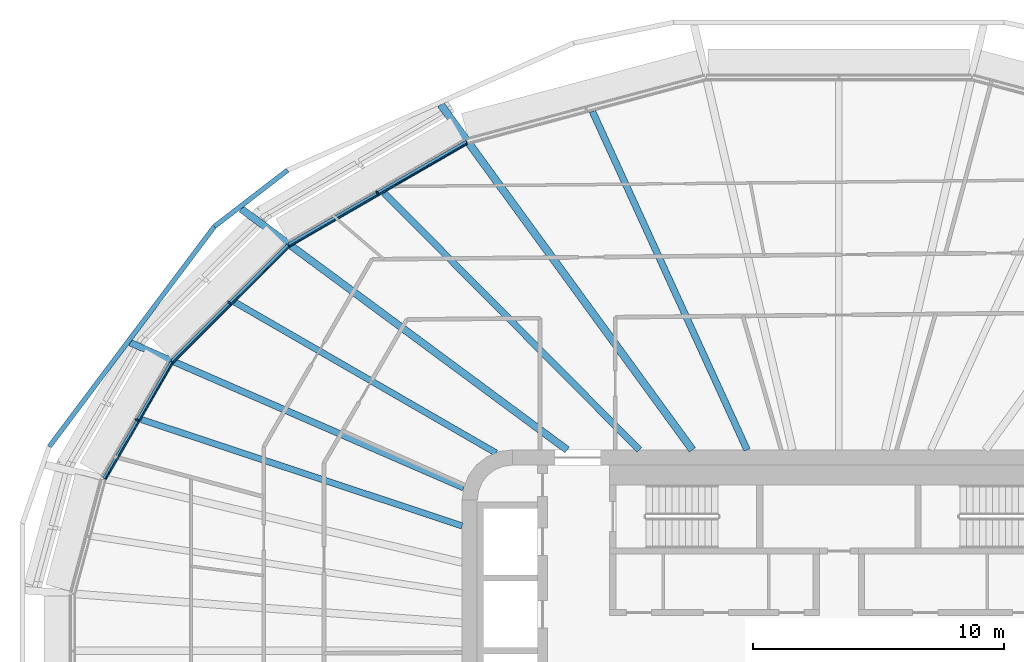
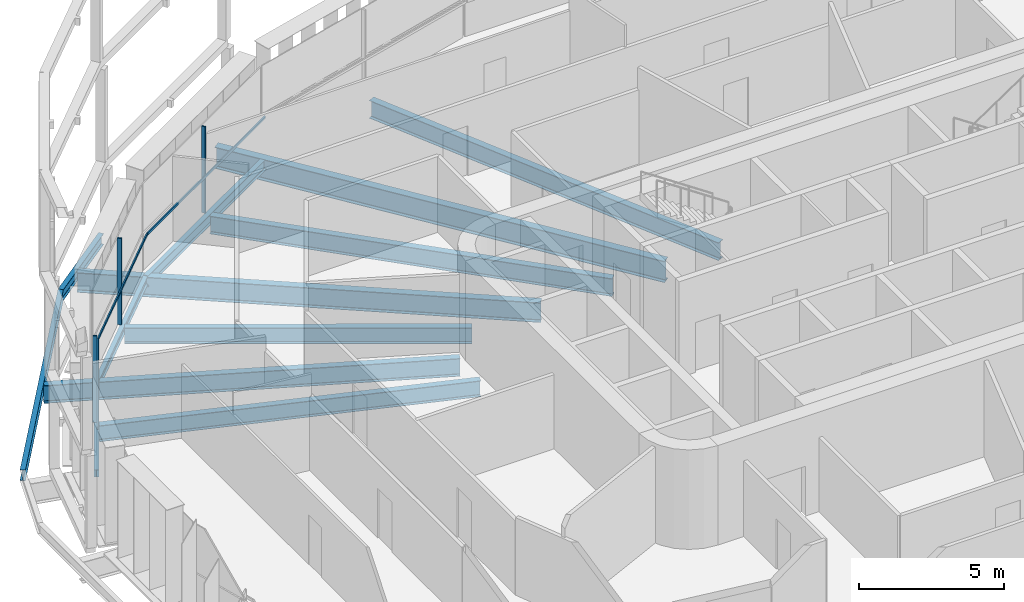
# One storey, part 7 of 24: 12 beams, 6 members, 3 elements without a shape of their own.
"""IFC4 building model written with IfcOpenShell, lengths in metres."""

from ifc_helpers import new_model, si_unit, direction, frame, origin, origin_2d, place, context, subcontext, project, spatial, rectangle, i_section, extrude, material, layer, layer_set, material_profile, profile_set, type_object, element, aggregate, save


model = new_model("IFC4")

# Units and contexts
model_context = context("Model", 3, precision=1e-05, world=origin(), true_north=direction((0.0, 1.0)))
body_context = subcontext(model_context, "Body", "Model", "MODEL_VIEW")
ifc_project = project(units=[si_unit("LENGTHUNIT", "METRE"), si_unit("AREAUNIT", "SQUARE_METRE"), si_unit("VOLUMEUNIT", "CUBIC_METRE"), si_unit("PLANEANGLEUNIT", "RADIAN"), si_unit("MASSUNIT", "GRAM", prefix="KILO")], contexts=[model_context])

# Site, building, storey
site_placement = place(None, origin())
site = spatial("IfcSite", under=ifc_project, at=site_placement, CompositionType="ELEMENT")
building_placement = place(site_placement, origin())
building = spatial("IfcBuilding", under=site, at=building_placement, Name="Sahrelin Media Tower", CompositionType="ELEMENT")
storey_placement = place(building_placement, frame((0.0, 0.0, 58.800048828125)))
storey = spatial("IfcBuildingStorey", under=building, at=storey_placement, Name="L09", CompositionType="ELEMENT", Elevation=58.800048828125)

# Beams
ifc_material_1 = material(Name="Steel S355", Category="steel")
ifc_material_profile_1 = material_profile(ifc_material_1, i_section(OverallWidth=0.1650390625, OverallDepth=0.303466796875, WebThickness=0.006103515625, FlangeThickness=0.01025390625, FilletRadius=0.0087890625, at=origin_2d()), Name="UB 305x165x40")
ifc_profile_set_1 = profile_set([ifc_material_profile_1], Name="Steel S355")
beam_type_1 = type_object("IfcBeamType", Name="Edge beam EB2", PredefinedType="BEAM", material=ifc_profile_set_1)
beam_1_placement = place(storey_placement, frame((-29.236328125, 6.8447265625, -0.3017578125), z_axis=(0.500011394563, 0.86601882503, 0.0), x_axis=(-0.86601882503, 0.500011394563, 0.0)))
element("IfcBeam", 1, at=beam_1_placement, inside=storey, type_object=beam_type_1, Name="Edge beam L09-15", PredefinedType="BEAM", context=body_context, shape_type="SweptSolid", body=[
    extrude(i_section(OverallWidth=0.1650390625, OverallDepth=0.303466796875, WebThickness=0.006103515625, FlangeThickness=0.01025390625, FilletRadius=0.0087890625, at=origin_2d()), origin(), (0.0, 0.0, 1.0), 5.363525390625),
])
ifc_material_profile_2 = material_profile(ifc_material_1, i_section(OverallWidth=0.17138671875, OverallDepth=0.35498046875, WebThickness=0.00732421875, FlangeThickness=0.011474609375, FilletRadius=0.01025390625, at=origin_2d()), Name="UB 356x171x51")
ifc_profile_set_2 = profile_set([ifc_material_profile_2], Name="Steel S355")
beam_type_2 = type_object("IfcBeamType", Name="Edge beam EB3", PredefinedType="BEAM", material=ifc_profile_set_2)
beam_2_placement = place(storey_placement, frame((-26.536865234375, 11.5126953125, -0.32763671875), z_axis=(0.707106781187, 0.707106781187, 0.0), x_axis=(-0.707106781187, 0.707106781187, 0.0)))
element("IfcBeam", 2, at=beam_2_placement, inside=storey, type_object=beam_type_2, Name="Edge beam L09-16", PredefinedType="BEAM", context=body_context, shape_type="SweptSolid", body=[
    extrude(i_section(OverallWidth=0.17138671875, OverallDepth=0.35498046875, WebThickness=0.00732421875, FlangeThickness=0.011474609375, FilletRadius=0.01025390625, at=origin_2d()), origin(), (0.0, 0.0, 1.0), 6.536865234375),
])
ifc_material_profile_3 = material_profile(ifc_material_1, i_section(OverallWidth=0.1904296875, OverallDepth=0.45703125, WebThickness=0.009033203125, FlangeThickness=0.014404296875, FilletRadius=0.01025390625, at=origin_2d()), Name="UB 457x191x74")
ifc_profile_set_3 = profile_set([ifc_material_profile_3], Name="Steel S355")
beam_type_3 = type_object("IfcBeamType", Name="Edge beam EB5", PredefinedType="BEAM", material=ifc_profile_set_3)
beam_3_placement = place(storey_placement, frame((-21.8916015625, 16.152587890625, -0.378662109375), z_axis=(0.866019440968, 0.500010327758, 0.0), x_axis=(-0.500010327758, 0.866019440968, 0.0)))
element("IfcBeam", 3, at=beam_3_placement, inside=storey, type_object=beam_type_3, Name="Edge beam L09-17", PredefinedType="BEAM", context=body_context, shape_type="SweptSolid", body=[
    extrude(i_section(OverallWidth=0.1904296875, OverallDepth=0.45703125, WebThickness=0.009033203125, FlangeThickness=0.014404296875, FilletRadius=0.01025390625, at=origin_2d()), origin(), (0.0, 0.0, 1.0), 8.173095703125),
])

# Curtain wall, member
ifc_material_2 = material(Name="Champagne anodised aluminium 6063-T6", Category="aluminium")
ifc_layer = layer(ifc_material_2, 0.14990234375)
ifc_layer_set = layer_set([ifc_layer], Name="Tower ribbon curtain wall")
curtain_wall_type = type_object("IfcCurtainWallType", Name="Tower ribbon curtain wall", PredefinedType="NOTDEFINED", material=ifc_layer_set)
curtain_wall_1_placement = place(storey_placement, frame((-18.427490234375, 18.32568359375, 0.0), z_axis=(0.0, 0.0, 1.0), x_axis=(1.0, 0.0, 0.0)))
curtain_wall_1 = element("IfcCurtainWall", 4, at=curtain_wall_1_placement, inside=storey, type_object=curtain_wall_type, Name="L09:CW:L09-08", PredefinedType="NOTDEFINED")
ifc_material_profile_4 = material_profile(ifc_material_2, rectangle(XDim=0.06005859375, YDim=0.14990234375, at=origin_2d()), Name="Mullion 60x150")
ifc_profile_set_4 = profile_set([ifc_material_profile_4], Name="Champagne anodised aluminium 6063-T6")
member_type_1 = type_object("IfcMemberType", Name="Mullion 60x150 CW1", PredefinedType="MULLION", material=ifc_profile_set_4)
member_1_placement = place(storey_placement, frame((-18.3798828125, 18.24365234375, 0.0), z_axis=(0.0, 0.0, 1.0), x_axis=(-0.866025403784, -0.5, 0.0)))
member_1 = element("IfcMember", 5, at=member_1_placement, type_object=member_type_1, Name="L09:CWM:L09-08", PredefinedType="MULLION", context=body_context, shape_type="SweptSolid", body=[
    extrude(rectangle(XDim=0.06005859375, YDim=0.14990234375, at=origin_2d()), origin(), (0.0, 0.0, 1.0), 3.6484375),
])

curtain_wall_2_placement = place(storey_placement, frame((-24.331787109375, 13.929931640625, 0.0), z_axis=(0.0, 0.0, 1.0), x_axis=(1.0, 0.0, 0.0)))
curtain_wall_2 = element("IfcCurtainWall", 6, at=curtain_wall_2_placement, inside=storey, type_object=curtain_wall_type, Name="L09:CW:L09-09", PredefinedType="NOTDEFINED")
member_2_placement = place(storey_placement, frame((-24.2646484375, 13.86279296875, 0.0), z_axis=(0.0, 0.0, 1.0), x_axis=(-0.707106781187, -0.707106781187, 0.0)))
member_2 = element("IfcMember", 7, at=member_2_placement, type_object=member_type_1, Name="L09:CWM:L09-09", PredefinedType="MULLION", context=body_context, shape_type="SweptSolid", body=[
    extrude(rectangle(XDim=0.06005859375, YDim=0.14990234375, at=origin_2d()), origin(), (0.0, 0.0, 1.0), 3.6484375),
])

curtain_wall_3_placement = place(storey_placement, frame((-28.025390625, 9.2421875, 0.0), z_axis=(0.0, 0.0, 1.0), x_axis=(1.0, 0.0, 0.0)))
curtain_wall_3 = element("IfcCurtainWall", 8, at=curtain_wall_3_placement, inside=storey, type_object=curtain_wall_type, Name="L09:CW:L09-10", PredefinedType="NOTDEFINED")
member_3_placement = place(storey_placement, frame((-27.943115234375, 9.194580078125, 0.0), z_axis=(0.0, 0.0, 1.0), x_axis=(-0.500007557478, -0.866021040428, 0.0)))
member_3 = element("IfcMember", 9, at=member_3_placement, type_object=member_type_1, Name="L09:CWM:L09-10", PredefinedType="MULLION", context=body_context, shape_type="SweptSolid", body=[
    extrude(rectangle(XDim=0.06005859375, YDim=0.14990234375, at=origin_2d()), origin(), (0.0, 0.0, 1.0), 3.6484375),
])

# Beams
ifc_material_profile_5 = material_profile(ifc_material_1, i_section(OverallWidth=0.291748046875, OverallDepth=0.8349609375, WebThickness=0.013916015625, FlangeThickness=0.018798828125, FilletRadius=0.017822265625, at=origin_2d()), Name="UB 838x292x176")
ifc_profile_set_5 = profile_set([ifc_material_profile_5], Name="Steel S355")
beam_type_4 = type_object("IfcBeamType", Name="Radial primary beam PB10", PredefinedType="BEAM", material=ifc_profile_set_5)
beam_4_placement = place(storey_placement, frame((-10.818603515625, 8.0, -0.567626953125), z_axis=(-0.804053202337, 0.594557354518, 0.0), x_axis=(-0.594557354518, -0.804053202337, 0.0)))
element("IfcBeam", 10, at=beam_4_placement, inside=storey, type_object=beam_type_4, Name="Radial beam L09-09", PredefinedType="BEAM", context=body_context, shape_type="SweptSolid", body=[
    extrude(i_section(OverallWidth=0.291748046875, OverallDepth=0.8349609375, WebThickness=0.013916015625, FlangeThickness=0.018798828125, FilletRadius=0.017822265625, at=origin_2d()), origin(), (0.0, 0.0, 1.0), 16.13916015625),
])
ifc_material_profile_6 = material_profile(ifc_material_1, i_section(OverallWidth=0.30322265625, OverallDepth=0.903076171875, WebThickness=0.01513671875, FlangeThickness=0.020263671875, FilletRadius=0.01904296875, at=origin_2d()), Name="UB 914x305x201")
ifc_profile_set_6 = profile_set([ifc_material_profile_6], Name="Steel S355")
beam_type_5 = type_object("IfcBeamType", Name="Radial primary beam PB11", PredefinedType="BEAM", material=ifc_profile_set_6)
beam_5_placement = place(storey_placement, frame((-5.830810546875, 8.0, -0.6015625), z_axis=(-0.589006176074, 0.808128532194, 0.0), x_axis=(-0.808128532194, -0.589006176074, 0.0)))
element("IfcBeam", 11, at=beam_5_placement, inside=storey, type_object=beam_type_5, Name="Radial beam L09-08", PredefinedType="BEAM", context=body_context, shape_type="SweptSolid", body=[
    extrude(i_section(OverallWidth=0.30322265625, OverallDepth=0.903076171875, WebThickness=0.01513671875, FlangeThickness=0.020263671875, FilletRadius=0.01904296875, at=origin_2d()), origin(), (0.0, 0.0, 1.0), 17.0068359375),
])
ifc_material_profile_7 = material_profile(ifc_material_1, i_section(OverallWidth=0.26513671875, OverallDepth=0.75390625, WebThickness=0.0126953125, FlangeThickness=0.017578125, FilletRadius=0.0166015625, at=origin_2d()), Name="UB 762x267x147")
ifc_profile_set_7 = profile_set([ifc_material_profile_7], Name="Steel S355")
beam_type_6 = type_object("IfcBeamType", Name="Radial primary beam PB9", PredefinedType="BEAM", material=ifc_profile_set_7)
beam_6_placement = place(storey_placement, frame((-14.93505859375, 6.493408203125, -0.527099609375), z_axis=(-0.917065499271, 0.398736592309, 0.0), x_axis=(-0.398736592309, -0.917065499271, 0.0)))
element("IfcBeam", 12, at=beam_6_placement, inside=storey, type_object=beam_type_6, Name="Radial beam L09-10", PredefinedType="BEAM", context=body_context, shape_type="SweptSolid", body=[
    extrude(i_section(OverallWidth=0.26513671875, OverallDepth=0.75390625, WebThickness=0.0126953125, FlangeThickness=0.017578125, FilletRadius=0.0166015625, at=origin_2d()), origin(), (0.0, 0.0, 1.0), 14.47998046875),
])
ifc_material_profile_8 = material_profile(ifc_material_1, i_section(OverallWidth=0.2529296875, OverallDepth=0.677978515625, WebThickness=0.01171875, FlangeThickness=0.01611328125, FilletRadius=0.01513671875, at=origin_2d()), Name="UB 686x254x125")
ifc_profile_set_8 = profile_set([ifc_material_profile_8], Name="Steel S355")
beam_type_7 = type_object("IfcBeamType", Name="Radial secondary beam SB8", PredefinedType="BEAM", material=ifc_profile_set_8)
beam_7_placement = place(storey_placement, frame((-13.6494140625, 7.877197265625, -0.489013671875), z_axis=(-0.866108058974, 0.499856809677, 0.0), x_axis=(-0.499856809677, -0.866108058974, 0.0)))
element("IfcBeam", 13, at=beam_7_placement, inside=storey, type_object=beam_type_7, Name="Secondary beam L09-09", PredefinedType="BEAM", context=body_context, shape_type="SweptSolid", body=[
    extrude(i_section(OverallWidth=0.2529296875, OverallDepth=0.677978515625, WebThickness=0.01171875, FlangeThickness=0.01611328125, FilletRadius=0.01513671875, at=origin_2d()), origin(), (0.0, 0.0, 1.0), 12.00732421875),
])
beam_8_placement = place(storey_placement, frame((-15.0, 4.974609375, -0.489013671875), z_axis=(-0.949164712184, 0.314779842342, 0.0), x_axis=(-0.314779842342, -0.949164712184, 0.0)))
element("IfcBeam", 14, at=beam_8_placement, inside=storey, type_object=beam_type_7, Name="Secondary beam L09-10", PredefinedType="BEAM", context=body_context, shape_type="SweptSolid", body=[
    extrude(i_section(OverallWidth=0.2529296875, OverallDepth=0.677978515625, WebThickness=0.01171875, FlangeThickness=0.01611328125, FilletRadius=0.01513671875, at=origin_2d()), origin(), (0.0, 0.0, 1.0), 13.458740234375),
])
ifc_material_profile_9 = material_profile(ifc_material_1, i_section(OverallWidth=0.26513671875, OverallDepth=0.75390625, WebThickness=0.0126953125, FlangeThickness=0.017578125, FilletRadius=0.0166015625, at=origin_2d()), Name="UB 762x267x147")
ifc_profile_set_9 = profile_set([ifc_material_profile_9], Name="Steel S355")
beam_type_8 = type_object("IfcBeamType", Name="Radial secondary beam SB9", PredefinedType="BEAM", material=ifc_profile_set_9)
beam_9_placement = place(storey_placement, frame((-3.655517578125, 8.0, -0.527099609375), z_axis=(-0.415602418325, 0.909546386878, 0.0), x_axis=(-0.909546386878, -0.415602418325, 0.0)))
element("IfcBeam", 15, at=beam_9_placement, inside=storey, type_object=beam_type_8, Name="Secondary beam L09-07", PredefinedType="BEAM", context=body_context, shape_type="SweptSolid", body=[
    extrude(i_section(OverallWidth=0.26513671875, OverallDepth=0.75390625, WebThickness=0.0126953125, FlangeThickness=0.017578125, FilletRadius=0.0166015625, at=origin_2d()), origin(), (0.0, 0.0, 1.0), 14.815185546875),
])
beam_10_placement = place(storey_placement, frame((-7.945068359375, 8.0, -0.527099609375), z_axis=(-0.704664058133, 0.709541094775, 0.0), x_axis=(-0.709541094775, -0.704664058133, 0.0)))
element("IfcBeam", 16, at=beam_10_placement, inside=storey, type_object=beam_type_8, Name="Secondary beam L09-08", PredefinedType="BEAM", context=body_context, shape_type="SweptSolid", body=[
    extrude(i_section(OverallWidth=0.26513671875, OverallDepth=0.75390625, WebThickness=0.0126953125, FlangeThickness=0.017578125, FilletRadius=0.0166015625, at=origin_2d()), origin(), (0.0, 0.0, 1.0), 14.4169921875),
])
ifc_material_profile_10 = material_profile(ifc_material_1, i_section(OverallWidth=0.1904296875, OverallDepth=0.45703125, WebThickness=0.009033203125, FlangeThickness=0.014404296875, FilletRadius=0.01025390625, at=origin_2d()), Name="UB 457x191x74")
ifc_profile_set_10 = profile_set([ifc_material_profile_10], Name="Steel S355")
beam_type_9 = type_object("IfcBeamType", Name="Tie chord TC5", PredefinedType="BEAM", material=ifc_profile_set_10)
beam_11_placement = place(storey_placement, frame((-21.95068359375, 19.1357421875, -0.378662109375), z_axis=(-0.792455930627, -0.609929174588, 0.0), x_axis=(0.609929174588, -0.792455930627, 0.0)))
element("IfcBeam", 17, at=beam_11_placement, inside=storey, type_object=beam_type_9, Name="Tie chord L09-09", PredefinedType="BEAM", context=body_context, shape_type="SweptSolid", body=[
    extrude(i_section(OverallWidth=0.1904296875, OverallDepth=0.45703125, WebThickness=0.009033203125, FlangeThickness=0.014404296875, FilletRadius=0.01025390625, at=origin_2d()), origin(), (0.0, 0.0, 1.0), 3.6728515625),
])
beam_12_placement = place(storey_placement, frame((-24.861328125, 16.8955078125, -0.378662109375), z_axis=(-0.600064126043, -0.799951901452, 0.0), x_axis=(0.799951901452, -0.600064126043, 0.0)))
element("IfcBeam", 18, at=beam_12_placement, inside=storey, type_object=beam_type_9, Name="Tie chord L09-10", PredefinedType="BEAM", context=body_context, shape_type="SweptSolid", body=[
    extrude(i_section(OverallWidth=0.1904296875, OverallDepth=0.45703125, WebThickness=0.009033203125, FlangeThickness=0.014404296875, FilletRadius=0.01025390625, at=origin_2d()), origin(), (0.0, 0.0, 1.0), 10.96435546875),
])

# Member
ifc_material_profile_11 = material_profile(ifc_material_2, rectangle(XDim=0.050048828125, YDim=0.10009765625, at=origin_2d()), Name="Transom 50x100")
ifc_profile_set_11 = profile_set([ifc_material_profile_11], Name="Champagne anodised aluminium 6063-T6")
member_type_2 = type_object("IfcMemberType", Name="Transom 50x100 CW1", PredefinedType="USERDEFINED", material=ifc_profile_set_11)
member_4_placement = place(storey_placement, frame((-14.804443359375, 20.1923828125, 1.599853515625), z_axis=(-0.866031287275, -0.499989809357, 0.0), x_axis=(0.499989809357, -0.866031287275, 0.0)))
member_4 = element("IfcMember", 19, at=member_4_placement, type_object=member_type_2, Name="L09:CWT:L09-08", ObjectType="TRANSOM", PredefinedType="USERDEFINED", context=body_context, shape_type="SweptSolid", body=[
    extrude(rectangle(XDim=0.050048828125, YDim=0.10009765625, at=origin_2d()), origin(), (0.0, 0.0, 1.0), 8.141845703125),
])

aggregate(curtain_wall_1, [member_1, member_4])

member_5_placement = place(storey_placement, frame((-21.893798828125, 16.09228515625, 1.599853515625), z_axis=(-0.707088017324, -0.707125544551, 0.0), x_axis=(0.707125544551, -0.707088017324, 0.0)))
member_5 = element("IfcMember", 20, at=member_5_placement, type_object=member_type_2, Name="L09:CWT:L09-09", ObjectType="TRANSOM", PredefinedType="USERDEFINED", context=body_context, shape_type="SweptSolid", body=[
    extrude(rectangle(XDim=0.050048828125, YDim=0.10009765625, at=origin_2d()), origin(), (0.0, 0.0, 1.0), 6.505615234375),
])

aggregate(curtain_wall_2, [member_2, member_5])

member_6_placement = place(storey_placement, frame((-26.523193359375, 11.45361328125, 1.599853515625), z_axis=(-0.500014410368, -0.866017083794, 0.0), x_axis=(0.866017083794, -0.500014410368, 0.0)))
member_6 = element("IfcMember", 21, at=member_6_placement, type_object=member_type_2, Name="L09:CWT:L09-10", ObjectType="TRANSOM", PredefinedType="USERDEFINED", context=body_context, shape_type="SweptSolid", body=[
    extrude(rectangle(XDim=0.050048828125, YDim=0.10009765625, at=origin_2d()), origin(), (0.0, 0.0, 1.0), 5.332275390625),
])

aggregate(curtain_wall_3, [member_3, member_6])

save(model, "model.ifc")
